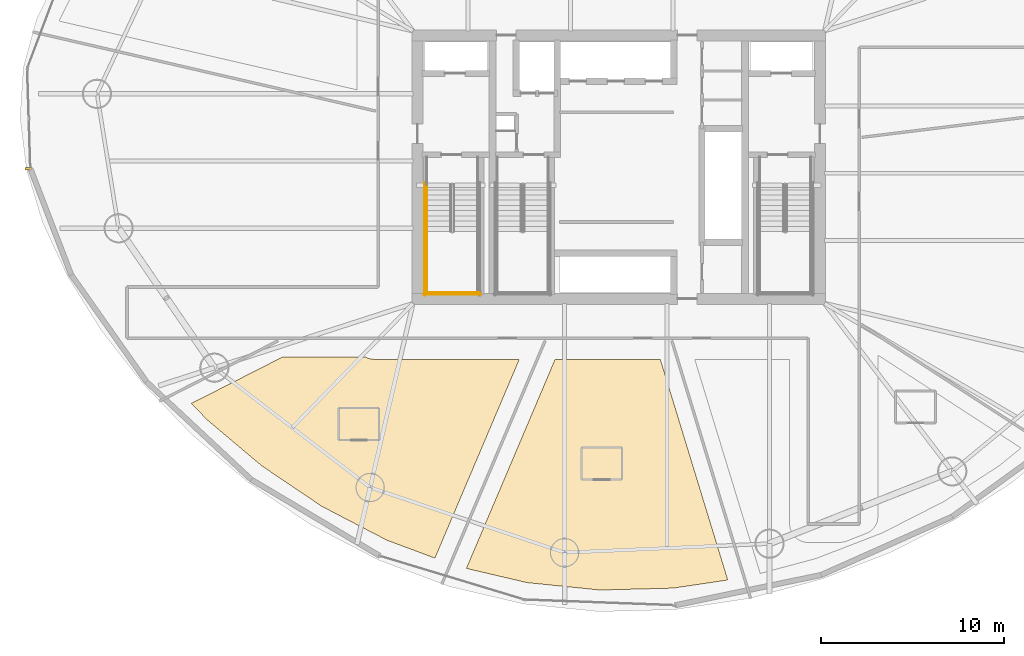
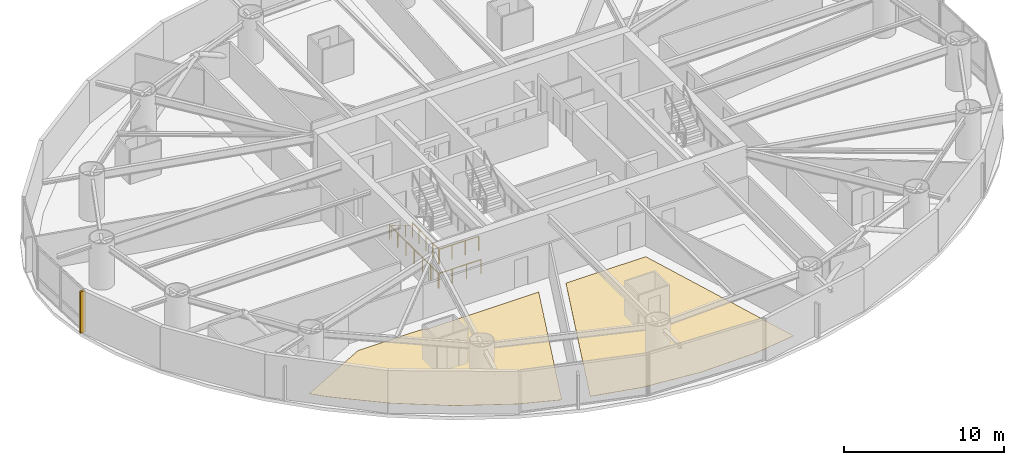
# One storey, part 24 of 27: 5 railings, 2 coverings, 1 shading device.
"""IFC4 building model written with IfcOpenShell, lengths in metres."""

from ifc_helpers import new_model, si_unit, direction, frame, origin, origin_2d, place, context, subcontext, project, spatial, polyline, rectangle, circle, outline, extrude, material, layer, layer_set, type_object, element, save


model = new_model("IFC4")

# Units and contexts
model_context = context("Model", 3, precision=1e-05, world=origin(), true_north=direction((0.0, 1.0)))
body_context = subcontext(model_context, "Body", "Model", "MODEL_VIEW")
ifc_project = project(units=[si_unit("LENGTHUNIT", "METRE"), si_unit("AREAUNIT", "SQUARE_METRE"), si_unit("VOLUMEUNIT", "CUBIC_METRE"), si_unit("PLANEANGLEUNIT", "RADIAN"), si_unit("MASSUNIT", "GRAM", prefix="KILO")], contexts=[model_context])

# Site, building, storey
site_placement = place(None, origin())
site = spatial("IfcSite", under=ifc_project, at=site_placement, CompositionType="ELEMENT")
building_placement = place(site_placement, origin())
building = spatial("IfcBuilding", under=site, at=building_placement, Name="Bramvorn Convention Spire", CompositionType="ELEMENT")
storey_placement = place(building_placement, frame((0.0, 0.0, 72.89990234375)))
storey = spatial("IfcBuildingStorey", under=building, at=storey_placement, Name="L16", CompositionType="ELEMENT", Elevation=72.89990234375)

# Coverings
ifc_material_1 = material(Name="Solution-Dyed Wool Broadloom Hospitality Carpet", Category="textile")
ifc_layer = layer(ifc_material_1, 0.014892578125)
ifc_layer_set = layer_set([ifc_layer], Name="Solution-Dyed Wool Broadloom Hospitality Carpet - FLR-CARPET-15")
covering_type = type_object("IfcCoveringType", Name="FLR-CARPET-15", PredefinedType="FLOORING", material=ifc_layer_set)
covering_1_placement = place(storey_placement, origin())
element("IfcCovering", 1, at=covering_1_placement, inside=storey, type_object=covering_type, Name="Hotel Suite 1606 wool broadloom carpet", PredefinedType="FLOORING", context=body_context, shape_type="SweptSolid", body=[
    extrude(outline(polyline([(25.323486328125, 5.61181640625), (27.950927734375, 4.62939453125), (32.565185546875, 15.5), (24.60009765625, 15.5), (24.338623046875, 15.538818359375), (24.13623046875, 15.6298828125), (19.630126953125, 15.6298828125), (14.63671875, 13.085693359375), (15.5087890625, 12.18310546875), (18.485107421875, 9.675048828125), (21.773681640625, 7.45703125), (25.323486328125, 5.61181640625)])), origin(), (0.0, 0.0, 1.0), 0.01513671875),
])
covering_2_placement = place(storey_placement, origin())
element("IfcCovering", 2, at=covering_2_placement, inside=storey, type_object=covering_type, Name="Hotel Suite 1607 wool broadloom carpet", PredefinedType="FLOORING", context=body_context, shape_type="SweptSolid", body=[
    extrude(outline(polyline([(32.983154296875, 3.291259765625), (36.972412109375, 2.88671875), (40.98095703125, 2.99169921875), (43.957763671875, 3.434814453125), (40.26904296875, 15.5), (34.520751953125, 15.5), (29.668701171875, 4.069091796875), (32.983154296875, 3.291259765625)])), origin(), (0.0, 0.0, 1.0), 0.01513671875),
])

# Railings
ifc_material_2 = material(Name="Painted Steel Balustrade & Guardrail", Category="steel")
railing_type_1 = type_object("IfcRailingType", Name="RL-STAIR-GUARD-1100", PredefinedType="GUARDRAIL", material=ifc_material_2)
railing_1_placement = place(storey_placement, frame((27.5, 22.485107421875, 1.75)))
element("IfcRailing", 3, at=railing_1_placement, inside=storey, type_object=railing_type_1, Name="L16 ST1 stair guard 3", PredefinedType="GUARDRAIL", context=body_context, shape_type="SweptSolid", body=[
    extrude(circle(Radius=0.02392578125, at=origin_2d()), frame((0.0, 0.0, 1.076171875), z_axis=(0.0, -1.0, 0.0), x_axis=(1.0, 0.0, 0.0)), (0.0, 0.0, 1.0), 3.385009765625),
    extrude(circle(Radius=0.02099609375, at=origin_2d()), origin(), (0.0, 0.0, 1.0), 1.052001953125),
    extrude(circle(Radius=0.02099609375, at=origin_2d()), frame((0.0, -0.84619140625, 0.0)), (0.0, 0.0, 1.0), 1.052001953125),
    extrude(circle(Radius=0.02099609375, at=origin_2d()), frame((0.0, -1.6923828125, 0.0)), (0.0, 0.0, 1.0), 1.052001953125),
    extrude(circle(Radius=0.02099609375, at=origin_2d()), frame((0.0, -2.538818359375, 0.0)), (0.0, 0.0, 1.0), 1.052001953125),
    extrude(circle(Radius=0.02099609375, at=origin_2d()), frame((0.0, -3.385009765625, 0.0)), (0.0, 0.0, 1.0), 1.052001953125),
])
railing_2_placement = place(storey_placement, frame((27.449951171875, 19.14990234375, 1.75)))
element("IfcRailing", 4, at=railing_2_placement, inside=storey, type_object=railing_type_1, Name="L16 ST1 stair guard 5", PredefinedType="GUARDRAIL", context=body_context, shape_type="SweptSolid", body=[
    extrude(circle(Radius=0.02392578125, at=origin_2d()), frame((0.0, 0.0, 1.076171875), z_axis=(1.0, 0.0, 0.0), x_axis=(0.0, 1.0, 0.0)), (0.0, 0.0, 1.0), 2.900146484375),
    extrude(circle(Radius=0.02099609375, at=origin_2d()), origin(), (0.0, 0.0, 1.0), 1.052001953125),
    extrude(circle(Radius=0.02099609375, at=origin_2d()), frame((0.966796875, 0.0, 0.0)), (0.0, 0.0, 1.0), 1.052001953125),
    extrude(circle(Radius=0.02099609375, at=origin_2d()), frame((1.933349609375, 0.0, 0.0)), (0.0, 0.0, 1.0), 1.052001953125),
    extrude(circle(Radius=0.02099609375, at=origin_2d()), frame((2.900146484375, 0.0, 0.0)), (0.0, 0.0, 1.0), 1.052001953125),
])
railing_3_placement = place(storey_placement, frame((27.39990234375, 25.14990234375, 0.0)))
element("IfcRailing", 5, at=railing_3_placement, inside=storey, type_object=railing_type_1, Name="L16 ST1 stair guard 10", PredefinedType="GUARDRAIL", context=body_context, shape_type="SweptSolid", body=[
    extrude(circle(Radius=0.02392578125, at=origin_2d()), frame((0.0, 0.0, 1.076171875), z_axis=(0.0, -1.0, 0.0), x_axis=(1.0, 0.0, 0.0)), (0.0, 0.0, 1.0), 6.14990234375),
    extrude(circle(Radius=0.02099609375, at=origin_2d()), origin(), (0.0, 0.0, 1.0), 1.052001953125),
    extrude(circle(Radius=0.02099609375, at=origin_2d()), frame((0.0, -1.02490234375, 0.0)), (0.0, 0.0, 1.0), 1.052001953125),
    extrude(circle(Radius=0.02099609375, at=origin_2d()), frame((0.0, -2.050048828125, 0.0)), (0.0, 0.0, 1.0), 1.052001953125),
    extrude(circle(Radius=0.02099609375, at=origin_2d()), frame((0.0, -3.074951171875, 0.0)), (0.0, 0.0, 1.0), 1.052001953125),
    extrude(circle(Radius=0.02099609375, at=origin_2d()), frame((0.0, -4.099853515625, 0.0)), (0.0, 0.0, 1.0), 1.052001953125),
    extrude(circle(Radius=0.02099609375, at=origin_2d()), frame((0.0, -5.125, 0.0)), (0.0, 0.0, 1.0), 1.052001953125),
    extrude(circle(Radius=0.02099609375, at=origin_2d()), frame((0.0, -6.14990234375, 0.0)), (0.0, 0.0, 1.0), 1.052001953125),
])
railing_4_placement = place(storey_placement, frame((27.35009765625, 19.050048828125, 0.0)))
element("IfcRailing", 6, at=railing_4_placement, inside=storey, type_object=railing_type_1, Name="L16 ST1 stair guard 12", PredefinedType="GUARDRAIL", context=body_context, shape_type="SweptSolid", body=[
    extrude(circle(Radius=0.02392578125, at=origin_2d()), frame((0.0, 0.0, 1.076171875), z_axis=(1.0, 0.0, 0.0), x_axis=(0.0, 1.0, 0.0)), (0.0, 0.0, 1.0), 3.099853515625),
    extrude(circle(Radius=0.02099609375, at=origin_2d()), origin(), (0.0, 0.0, 1.0), 1.052001953125),
    extrude(circle(Radius=0.02099609375, at=origin_2d()), frame((1.033203125, 0.0, 0.0)), (0.0, 0.0, 1.0), 1.052001953125),
    extrude(circle(Radius=0.02099609375, at=origin_2d()), frame((2.066650390625, 0.0, 0.0)), (0.0, 0.0, 1.0), 1.052001953125),
    extrude(circle(Radius=0.02099609375, at=origin_2d()), frame((3.099853515625, 0.0, 0.0)), (0.0, 0.0, 1.0), 1.052001953125),
])
ifc_material_3 = material(Name="Brushed Bronze Tubular Handrail", Category="aluminium")
railing_type_2 = type_object("IfcRailingType", Name="RL-STAIR-HR-920", PredefinedType="HANDRAIL", material=ifc_material_3)
railing_5_placement = place(storey_placement, frame((27.5, 25.050048828125, 0.175048828125)))
element("IfcRailing", 7, at=railing_5_placement, inside=storey, type_object=railing_type_2, Name="L16 ST1 stair handrail 1", PredefinedType="HANDRAIL", context=body_context, shape_type="SweptSolid", body=[
    extrude(circle(Radius=0.02392578125, at=origin_2d()), frame((0.0, 0.0, 0.89599609375), z_axis=(0.0, -0.852173129349, 0.523259933127), x_axis=(1.0, 0.0, 0.0)), (0.0, 0.0, 1.0), 3.009765625),
    extrude(circle(Radius=0.02099609375, at=origin_2d()), origin(), (0.0, 0.0, 1.0), 0.871826171875),
    extrude(circle(Radius=0.02099609375, at=origin_2d()), frame((0.0, -0.85498046875, 0.52490234375)), (0.0, 0.0, 1.0), 0.871826171875),
    extrude(circle(Radius=0.02099609375, at=origin_2d()), frame((0.0, -1.7099609375, 1.050048828125)), (0.0, 0.0, 1.0), 0.871826171875),
    extrude(circle(Radius=0.02099609375, at=origin_2d()), frame((0.0, -2.56494140625, 1.574951171875)), (0.0, 0.0, 1.0), 0.871826171875),
])

# Shading device
ifc_material_4 = material(Name="Extruded Champagne Bronze Aluminium Lancet Fin", Category="aluminium")
shading_device_type = type_object("IfcShadingDeviceType", Name="SHD-FIN-LANCET", PredefinedType="SHUTTER", material=ifc_material_4)
shading_device_placement = place(storey_placement, frame((5.72119140625, 25.915283203125, 0.050048828125), z_axis=(0.0, 0.0, 1.0), x_axis=(-0.999996547936, -0.002627568366, 0.0)))
element("IfcShadingDevice", 8, at=shading_device_placement, inside=storey, type_object=shading_device_type, Name="L16 Gothic bronze wind-corner fin 13", PredefinedType="SHUTTER", context=body_context, shape_type="SweptSolid", body=[
    extrude(rectangle(XDim=0.360107421875, YDim=0.139892578125, at=origin_2d()), origin(), (0.0, 0.0, 1.0), 3.14990234375),
])

save(model, "model.ifc")
